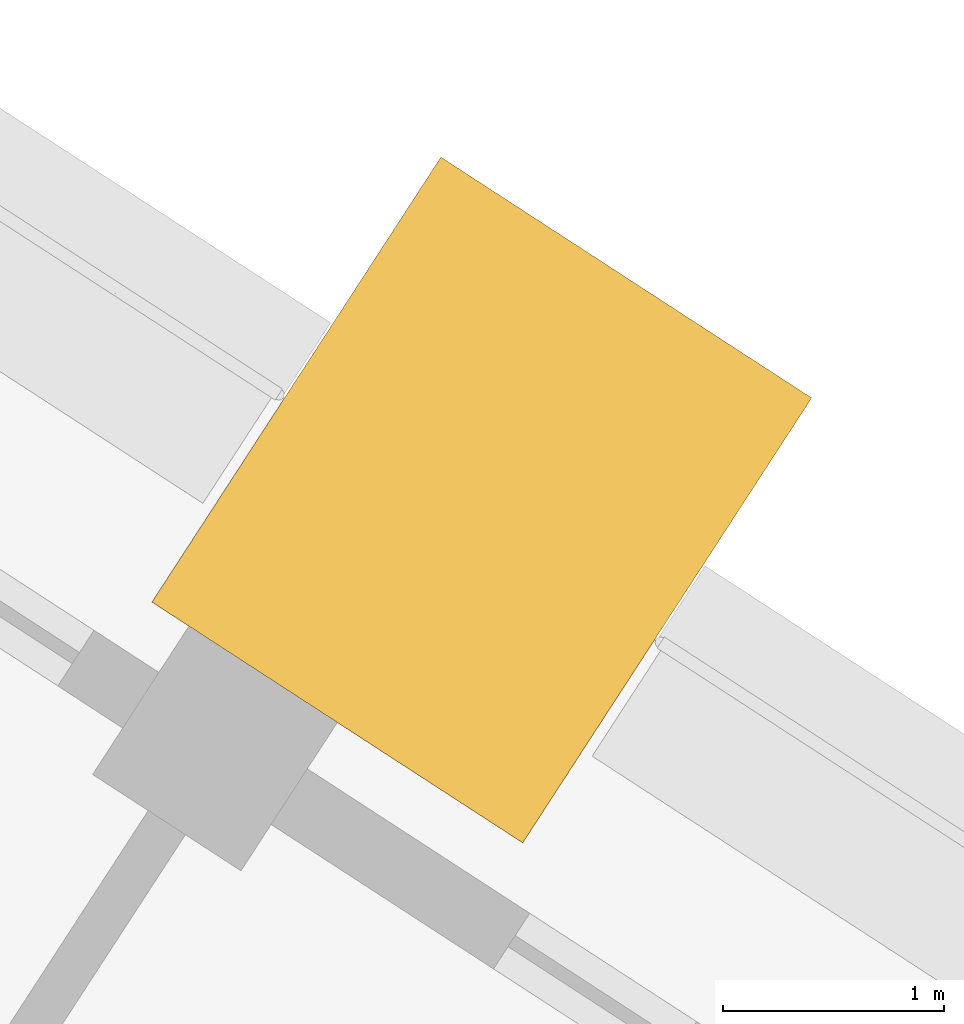
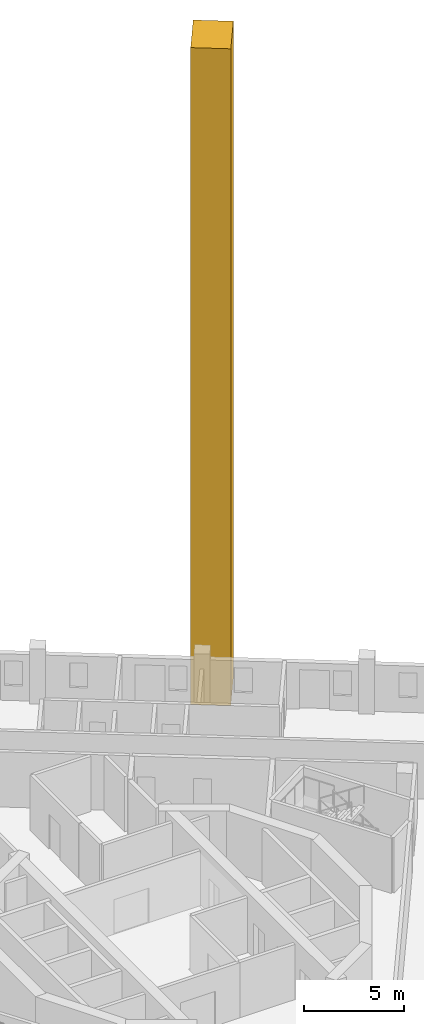
# One storey, part 14 of 15: 1 covering.
"""IFC4 building model written with IfcOpenShell, lengths in metres."""

from ifc_helpers import new_model, si_unit, direction, frame, origin, origin_2d, place, context, subcontext, project, spatial, rectangle, extrude, material, type_object, element, save


model = new_model("IFC4")

# Units and contexts
model_context = context("Model", 3, precision=1e-05, world=origin(), true_north=direction((0.0, 1.0)))
body_context = subcontext(model_context, "Body", "Model", "MODEL_VIEW")
ifc_project = project(units=[si_unit("LENGTHUNIT", "METRE"), si_unit("AREAUNIT", "SQUARE_METRE"), si_unit("VOLUMEUNIT", "CUBIC_METRE"), si_unit("PLANEANGLEUNIT", "RADIAN"), si_unit("MASSUNIT", "GRAM", prefix="KILO")], contexts=[model_context])

# Site, building, storey
site_placement = place(None, origin())
site = spatial("IfcSite", under=ifc_project, at=site_placement, CompositionType="ELEMENT")
building_placement = place(site_placement, origin())
building = spatial("IfcBuilding", under=site, at=building_placement, Name="Cantera Rosa Tower", CompositionType="ELEMENT")
storey_placement = place(building_placement, frame((0.0, 0.0, 250.5)))
storey = spatial("IfcBuildingStorey", under=building, at=storey_placement, Name="L55", CompositionType="ELEMENT", Elevation=250.5)

# Covering
ifc_material = material(Name="Cantera stone", Category="masonry")
covering_type = type_object("IfcCoveringType", Name="STONE FIN 2000x2400", PredefinedType="CLADDING", material=ifc_material)
covering_placement = place(storey_placement, frame((13.978759765625, 20.790771484375, -0.300048828125), z_axis=(0.0, 0.0, 1.0), x_axis=(-0.838670567945, 0.544639035015, 0.0)))
element("IfcCovering", 1, at=covering_placement, inside=storey, type_object=covering_type, Name="STONE FIN FN-Z5-01", PredefinedType="CLADDING", context=body_context, shape_type="SweptSolid", body=[
    extrude(rectangle(XDim=2.0, YDim=2.39990234375, at=origin_2d()), origin(), (0.0, 0.0, 1.0), 39.89990234375),
])

save(model, "model.ifc")
